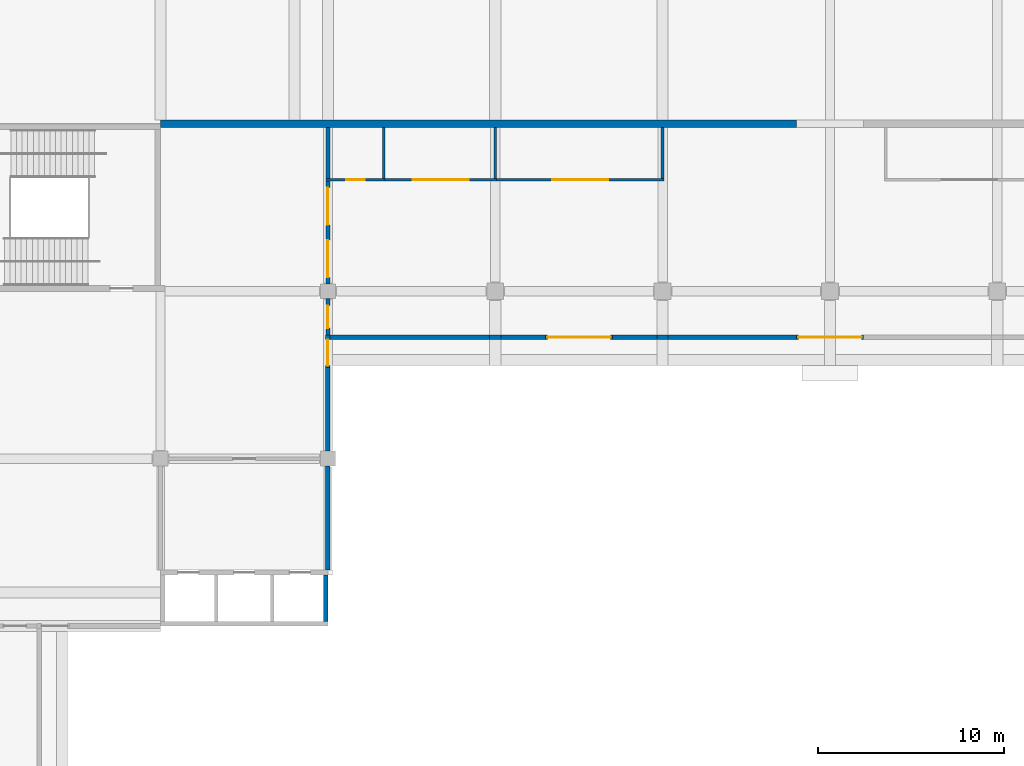
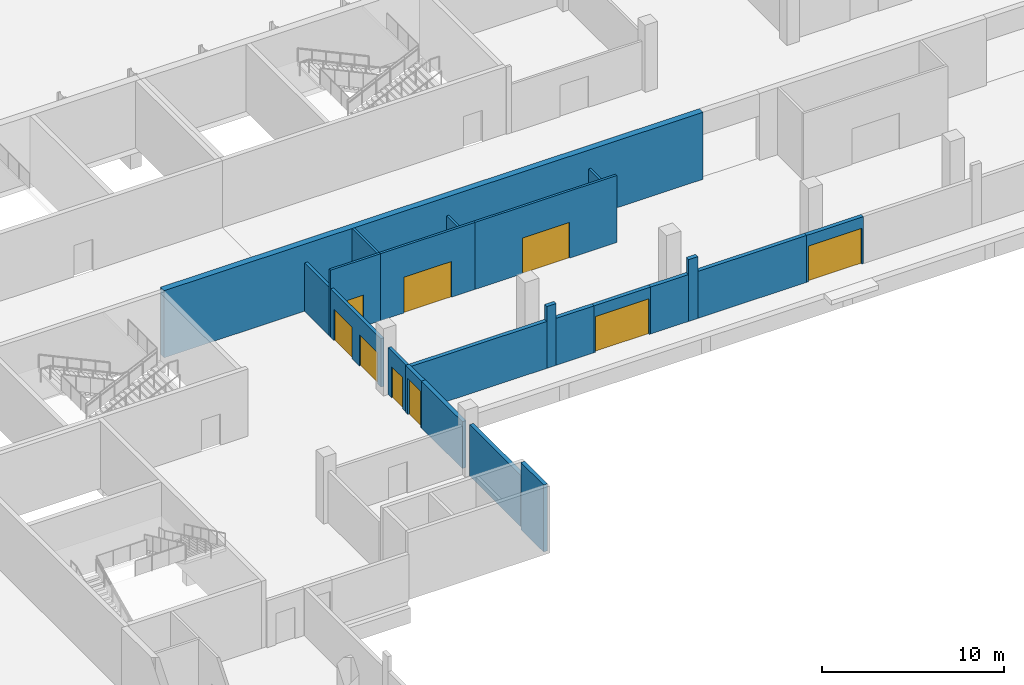
# One storey, part 98 of 168: 22 walls, 9 doors, 9 openings.
"""IFC4 building model written with IfcOpenShell, lengths in metres."""

from ifc_helpers import new_model, si_unit, direction, frame, frame_2d, origin, place, context, subcontext, project, spatial, rectangle, extrude, material, layer, layer_set, type_object, element, fill, save


model = new_model("IFC4")

# Units and contexts
model_context = context("Model", 3, precision=1e-05, world=origin(), true_north=direction((0.0, 1.0)))
body_context = subcontext(model_context, "Body", "Model", "MODEL_VIEW")
ifc_project = project(units=[si_unit("LENGTHUNIT", "METRE"), si_unit("AREAUNIT", "SQUARE_METRE"), si_unit("VOLUMEUNIT", "CUBIC_METRE"), si_unit("PLANEANGLEUNIT", "RADIAN"), si_unit("MASSUNIT", "GRAM", prefix="KILO")], contexts=[model_context])

# Site, building, storey
site_placement = place(None, origin())
site = spatial("IfcSite", under=ifc_project, at=site_placement, CompositionType="ELEMENT")
building_placement = place(site_placement, origin())
building = spatial("IfcBuilding", under=site, at=building_placement, Name="Silverbay Arena", CompositionType="ELEMENT")
storey_placement = place(building_placement, frame((0.0, 0.0, 7.0)))
storey = spatial("IfcBuildingStorey", under=building, at=storey_placement, Name="L01", CompositionType="ELEMENT", Elevation=7.0)

# Wall, opening, door
ifc_material_1 = material(Name="Concrete Grade C45", Category="concrete")
ifc_layer_1 = layer(ifc_material_1, 0.25)
ifc_layer_set_1 = layer_set([ifc_layer_1], Name="Concrete Grade C45")
wall_type_1 = type_object("IfcWallType", Name="Bowl enclosure wall RC 250 EI 120", PredefinedType="SOLIDWALL", material=ifc_layer_set_1)
wall_1_placement = place(storey_placement, frame((99.0, 112.89990234375, 0.0), z_axis=(0.0, 0.0, 1.0), x_axis=(0.0, 1.0, 0.0)))
wall_1 = element("IfcWall", 1, at=wall_1_placement, inside=storey, type_object=wall_type_1, Name="gangway North lower stand end", PredefinedType="SOLIDWALL", context=body_context, shape_type="SweptSolid", body=[
    extrude(rectangle(XDim=1.75, YDim=0.25, at=frame_2d((0.875, 0.0))), origin(), (0.0, 0.0, 1.0), 3.14990234375),
])
opening_1_placement = place(wall_1_placement, frame((0.10009765625, 0.0, 0.0)))
opening_1 = element("IfcOpeningElement", 2, at=opening_1_placement, cuts=wall_1, Name="Opening L01-153", PredefinedType="OPENING", context=body_context, shape_type="SweptSolid", body=[
    extrude(rectangle(XDim=1.39990234375, YDim=2.39990234375, at=frame_2d((0.699951171875, 1.199951171875))), frame((0.0, 0.135009765625, 0.0), z_axis=(0.0, -1.0, 0.0), x_axis=(1.0, 0.0, 0.0)), (0.0, 0.0, 1.0), 0.27001953125),
])
ifc_material_2 = material(Name="Steel", Category="steel")
door_type_1 = type_object("IfcDoorType", Name="Fire door set 1400 x 2400 FD120S gangway", OperationType="DOUBLE_DOOR_SINGLE_SWING", PredefinedType="DOOR", material=ifc_material_2)
door_1_placement = place(opening_1_placement, origin())
door_1 = element("IfcDoor", 3, at=door_1_placement, inside=storey, type_object=door_type_1, Name="Fire door set L01 gangway North lower stand end", OperationType="DOUBLE_DOOR_SINGLE_SWING", OverallHeight=2.39990234375, OverallWidth=1.39990234375, PredefinedType="DOOR", context=body_context, shape_type="SweptSolid", body=[
    extrude(rectangle(XDim=1.39990234375, YDim=2.39990234375, at=frame_2d((0.699951171875, 1.199951171875))), frame((0.0, 0.02490234375, 0.0), z_axis=(0.0, -1.0, 0.0), x_axis=(1.0, 0.0, 0.0)), (0.0, 0.0, 1.0), 0.050048828125),
])
fill(opening_1, door_1)

# Walls
wall_2_placement = place(storey_placement, frame((99.0, 102.0, 0.0), z_axis=(0.0, 0.0, 1.0), x_axis=(0.0, 1.0, 0.0)))
element("IfcWall", 4, at=wall_2_placement, inside=storey, type_object=wall_type_1, Name="Bowl enclosure wall, corner block NW-x", PredefinedType="SOLIDWALL", context=body_context, shape_type="SweptSolid", body=[
    extrude(rectangle(XDim=5.60009765625, YDim=0.25, at=frame_2d((2.800048828125, 0.0))), origin(), (0.0, 0.0, 1.0), 3.449951171875),
])
wall_3_placement = place(storey_placement, frame((99.0, 108.39990234375, 0.0), z_axis=(0.0, 0.0, 1.0), x_axis=(0.0, 1.0, 0.0)))
element("IfcWall", 5, at=wall_3_placement, inside=storey, type_object=wall_type_1, Name="Bowl enclosure wall, corner block NW-x", PredefinedType="SOLIDWALL", context=body_context, shape_type="SweptSolid", body=[
    extrude(rectangle(XDim=4.5, YDim=0.25, at=frame_2d((2.25, 0.0))), origin(), (0.0, 0.0, 1.0), 3.14990234375),
])

# Wall, opening, door
wall_4_placement = place(storey_placement, frame((124.199951171875, 114.52490234375, 0.0), z_axis=(0.0, 0.0, 1.0), x_axis=(1.0, 0.0, 0.0)))
wall_4 = element("IfcWall", 6, at=wall_4_placement, inside=storey, type_object=wall_type_1, Name="portal vomitory North 126", PredefinedType="SOLIDWALL", context=body_context, shape_type="SweptSolid", body=[
    extrude(rectangle(XDim=3.60009765625, YDim=0.25, at=frame_2d((1.800048828125, 0.0))), origin(), (0.0, 0.0, 1.0), 3.14990234375),
])
opening_2_placement = place(wall_4_placement, frame((0.10009765625, 0.0, 0.0)))
opening_2 = element("IfcOpeningElement", 7, at=opening_2_placement, cuts=wall_4, Name="Opening L01-161", PredefinedType="OPENING", context=body_context, shape_type="SweptSolid", body=[
    extrude(rectangle(XDim=3.39990234375, YDim=2.39990234375, at=frame_2d((1.699951171875, 1.199951171875))), frame((0.0, 0.135009765625, 0.0), z_axis=(0.0, -1.0, 0.0), x_axis=(1.0, 0.0, 0.0)), (0.0, 0.0, 1.0), 0.27001953125),
])
ifc_material_3 = material(Name="Steel", Category="steel")
door_type_2 = type_object("IfcDoorType", Name="Fire door set 3400 x 2400 FD120S portal", OperationType="DOUBLE_DOOR_SINGLE_SWING", PredefinedType="DOOR", material=ifc_material_3)
door_2_placement = place(opening_2_placement, origin())
door_2 = element("IfcDoor", 8, at=door_2_placement, inside=storey, type_object=door_type_2, Name="Fire door set L01 portal vomitory North 126", OperationType="DOUBLE_DOOR_SINGLE_SWING", OverallHeight=2.39990234375, OverallWidth=3.39990234375, PredefinedType="DOOR", context=body_context, shape_type="SweptSolid", body=[
    extrude(rectangle(XDim=3.39990234375, YDim=2.39990234375, at=frame_2d((1.699951171875, 1.199951171875))), frame((0.0, 0.02490234375, 0.0), z_axis=(0.0, -1.0, 0.0), x_axis=(1.0, 0.0, 0.0)), (0.0, 0.0, 1.0), 0.050048828125),
])
fill(opening_2, door_2)

wall_5_placement = place(storey_placement, frame((110.699951171875, 114.52490234375, 0.0), z_axis=(0.0, 0.0, 1.0), x_axis=(1.0, 0.0, 0.0)))
wall_5 = element("IfcWall", 9, at=wall_5_placement, inside=storey, type_object=wall_type_1, Name="portal stand North 112.5", PredefinedType="SOLIDWALL", context=body_context, shape_type="SweptSolid", body=[
    extrude(rectangle(XDim=3.60009765625, YDim=0.25, at=frame_2d((1.800048828125, 0.0))), origin(), (0.0, 0.0, 1.0), 3.14990234375),
])
opening_3_placement = place(wall_5_placement, frame((0.10009765625, 0.0, 0.0)))
opening_3 = element("IfcOpeningElement", 10, at=opening_3_placement, cuts=wall_5, Name="Opening L01-166", PredefinedType="OPENING", context=body_context, shape_type="SweptSolid", body=[
    extrude(rectangle(XDim=3.39990234375, YDim=2.39990234375, at=frame_2d((1.699951171875, 1.199951171875))), frame((0.0, 0.135009765625, 0.0), z_axis=(0.0, -1.0, 0.0), x_axis=(1.0, 0.0, 0.0)), (0.0, 0.0, 1.0), 0.27001953125),
])
door_3_placement = place(opening_3_placement, origin())
door_3 = element("IfcDoor", 11, at=door_3_placement, inside=storey, type_object=door_type_2, Name="Fire door set L01 portal stand North 112.5", OperationType="DOUBLE_DOOR_SINGLE_SWING", OverallHeight=2.39990234375, OverallWidth=3.39990234375, PredefinedType="DOOR", context=body_context, shape_type="SweptSolid", body=[
    extrude(rectangle(XDim=3.39990234375, YDim=2.39990234375, at=frame_2d((1.699951171875, 1.199951171875))), frame((0.0, 0.02490234375, 0.0), z_axis=(0.0, -1.0, 0.0), x_axis=(1.0, 0.0, 0.0)), (0.0, 0.0, 1.0), 0.050048828125),
])
fill(opening_3, door_3)

# Walls
wall_6_placement = place(storey_placement, frame((99.125, 114.52490234375, 0.0), z_axis=(0.0, 0.0, 1.0), x_axis=(1.0, 0.0, 0.0)))
element("IfcWall", 12, at=wall_6_placement, inside=storey, type_object=wall_type_1, Name="Bowl enclosure wall, North stand", PredefinedType="SOLIDWALL", context=body_context, shape_type="SweptSolid", body=[
    extrude(rectangle(XDim=8.574951171875, YDim=0.25, at=frame_2d((4.28759765625, 0.0))), origin(), (0.0, 0.0, 1.0), 3.14990234375),
])
wall_7_placement = place(storey_placement, frame((117.300048828125, 114.52490234375, 0.0), z_axis=(0.0, 0.0, 1.0), x_axis=(1.0, 0.0, 0.0)))
element("IfcWall", 13, at=wall_7_placement, inside=storey, type_object=wall_type_1, Name="Bowl enclosure wall, North stand", PredefinedType="SOLIDWALL", context=body_context, shape_type="SweptSolid", body=[
    extrude(rectangle(XDim=6.89990234375, YDim=0.25, at=frame_2d((3.449951171875, 0.0))), origin(), (0.0, 0.0, 1.0), 3.14990234375),
])
wall_8_placement = place(storey_placement, frame((107.699951171875, 114.52490234375, 0.0), z_axis=(0.0, 0.0, 1.0), x_axis=(1.0, 0.0, 0.0)))
element("IfcWall", 14, at=wall_8_placement, inside=storey, type_object=wall_type_1, Name="Bowl enclosure wall, North stand", PredefinedType="SOLIDWALL", context=body_context, shape_type="SweptSolid", body=[
    extrude(rectangle(XDim=0.60009765625, YDim=0.25, at=frame_2d((0.300048828125, 0.0))), origin(), (0.0, 0.0, 1.0), 4.14990234375),
])
for number, where, z_axis, x_axis, name in (
    (15, (108.300048828125, 114.52490234375, 0.0), (0.0, 0.0, 1.0), (1.0, 0.0, 0.0), "Bowl enclosure wall, North stand"),
    (16, (114.300048828125, 114.52490234375, 0.0), (0.0, 0.0, 1.0), (1.0, 0.0, 0.0), "Bowl enclosure wall, North stand"),
):
    element("IfcWall", number, at=place(storey_placement, frame(where, z_axis=z_axis, x_axis=x_axis)), inside=storey, type_object=wall_type_1, Name=name, PredefinedType="SOLIDWALL", context=body_context, shape_type="SweptSolid", body=[
        extrude(rectangle(XDim=2.39990234375, YDim=0.25, at=frame_2d((1.199951171875, 0.0))), origin(), (0.0, 0.0, 1.0), 3.14990234375),
    ])
wall_9_placement = place(storey_placement, frame((116.699951171875, 114.52490234375, 0.0), z_axis=(0.0, 0.0, 1.0), x_axis=(1.0, 0.0, 0.0)))
element("IfcWall", 17, at=wall_9_placement, inside=storey, type_object=wall_type_1, Name="Bowl enclosure wall, North stand", PredefinedType="SOLIDWALL", context=body_context, shape_type="SweptSolid", body=[
    extrude(rectangle(XDim=0.60009765625, YDim=0.25, at=frame_2d((0.300048828125, 0.0))), origin(), (0.0, 0.0, 1.0), 4.14990234375),
])
ifc_material_4 = material(Name="Concrete Grade C45", Category="concrete")
ifc_layer_2 = layer(ifc_material_4, 0.25)
ifc_layer_set_2 = layer_set([ifc_layer_2], Name="Concrete Grade C45")
wall_type_2 = type_object("IfcWallType", Name="Lift shaft wall RC 250 EI 120", PredefinedType="SHEAR", material=ifc_layer_set_2)
wall_10_placement = place(storey_placement, frame((98.875, 99.25, 0.0), z_axis=(0.0, 0.0, 1.0), x_axis=(0.0, 1.0, 0.0)))
element("IfcWall", 18, at=wall_10_placement, inside=storey, type_object=wall_type_2, Name="Lift shaft wall LB-NW L01 end", PredefinedType="SHEAR", context=body_context, shape_type="SweptSolid", body=[
    extrude(rectangle(XDim=2.5, YDim=0.25, at=frame_2d((1.25, 0.0))), origin(), (0.0, 0.0, 1.0), 4.5),
])

# Wall, opening, door
ifc_material_5 = material(Name="Gypsum board partition on steel studs", Category="steel")
ifc_layer_3 = layer(ifc_material_5, 0.14990234375)
ifc_layer_set_3 = layer_set([ifc_layer_3], Name="Gypsum board partition on steel studs")
wall_type_3 = type_object("IfcWallType", Name="Partition 150 EI 60", PredefinedType="PARTITIONING", material=ifc_layer_set_3)
wall_11_placement = place(storey_placement, frame((98.89990234375, 123.0, 0.0), z_axis=(0.0, 0.0, 1.0), x_axis=(1.0, 0.0, 0.0)))
wall_11 = element("IfcWall", 19, at=wall_11_placement, inside=storey, type_object=wall_type_3, Name="Partition wall", PredefinedType="PARTITIONING", context=body_context, shape_type="SweptSolid", body=[
    extrude(rectangle(XDim=3.175048828125, YDim=0.14990234375, at=frame_2d((1.58740234375, 0.0))), origin(), (0.0, 0.0, 1.0), 4.5),
])
opening_4_placement = place(wall_11_placement, frame((1.0869140625, 0.0, 0.0)))
opening_4 = element("IfcOpeningElement", 20, at=opening_4_placement, cuts=wall_11, Name="Opening L01-024", PredefinedType="OPENING", context=body_context, shape_type="SweptSolid", body=[
    extrude(rectangle(XDim=1.0, YDim=2.10009765625, at=frame_2d((0.5, 1.050048828125))), frame((0.0, 0.0849609375, 0.0), z_axis=(0.0, -1.0, 0.0), x_axis=(1.0, 0.0, 0.0)), (0.0, 0.0, 1.0), 0.169921875),
])
ifc_material_6 = material(Name="Steel faced timber", Category="steel")
door_type_3 = type_object("IfcDoorType", Name="Single leaf door 1000 x 2100 FD30S", OperationType="SINGLE_SWING_LEFT", PredefinedType="DOOR", material=ifc_material_6)
door_4_placement = place(opening_4_placement, origin())
door_4 = element("IfcDoor", 21, at=door_4_placement, inside=storey, type_object=door_type_3, Name="Door L01-024", OperationType="SINGLE_SWING_RIGHT", OverallHeight=2.10009765625, OverallWidth=1.0, PredefinedType="DOOR", context=body_context, shape_type="SweptSolid", body=[
    extrude(rectangle(XDim=1.0, YDim=2.10009765625, at=frame_2d((0.5, 1.050048828125))), frame((0.0, 0.02490234375, 0.0), z_axis=(0.0, -1.0, 0.0), x_axis=(1.0, 0.0, 0.0)), (0.0, 0.0, 1.0), 0.050048828125),
])
fill(opening_4, door_4)

wall_12_placement = place(storey_placement, frame((102.074951171875, 123.0, 0.0), z_axis=(0.0, 0.0, 1.0), x_axis=(1.0, 0.0, 0.0)))
wall_12 = element("IfcWall", 22, at=wall_12_placement, inside=storey, type_object=wall_type_3, Name="Partition wall", PredefinedType="PARTITIONING", context=body_context, shape_type="SweptSolid", body=[
    extrude(rectangle(XDim=6.0, YDim=0.14990234375, at=frame_2d((3.0, 0.0))), origin(), (0.0, 0.0, 1.0), 4.5),
])
opening_5_placement = place(wall_12_placement, frame((1.5, 0.0, 0.0)))
opening_5 = element("IfcOpeningElement", 23, at=opening_5_placement, cuts=wall_12, Name="Opening L01-025", PredefinedType="OPENING", context=body_context, shape_type="SweptSolid", body=[
    extrude(rectangle(XDim=3.0, YDim=2.39990234375, at=frame_2d((1.5, 1.199951171875))), frame((0.0, 0.0849609375, 0.0), z_axis=(0.0, -1.0, 0.0), x_axis=(1.0, 0.0, 0.0)), (0.0, 0.0, 1.0), 0.169921875),
])
ifc_material_7 = material(Name="Steel", Category="steel")
door_type_4 = type_object("IfcDoorType", Name="Roller shutter 3000 x 2400 FD30S", OperationType="ROLLINGUP", PredefinedType="DOOR", material=ifc_material_7)
door_5_placement = place(opening_5_placement, origin())
door_5 = element("IfcDoor", 24, at=door_5_placement, inside=storey, type_object=door_type_4, Name="Door L01-025", OperationType="ROLLINGUP", OverallHeight=2.39990234375, OverallWidth=3.0, PredefinedType="DOOR", context=body_context, shape_type="SweptSolid", body=[
    extrude(rectangle(XDim=3.0, YDim=2.39990234375, at=frame_2d((1.5, 1.199951171875))), frame((0.0, 0.02490234375, 0.0), z_axis=(0.0, -1.0, 0.0), x_axis=(1.0, 0.0, 0.0)), (0.0, 0.0, 1.0), 0.050048828125),
])
fill(opening_5, door_5)

wall_13_placement = place(storey_placement, frame((108.074951171875, 123.0, 0.0), z_axis=(0.0, 0.0, 1.0), x_axis=(1.0, 0.0, 0.0)))
wall_13 = element("IfcWall", 25, at=wall_13_placement, inside=storey, type_object=wall_type_3, Name="Partition wall", PredefinedType="PARTITIONING", context=body_context, shape_type="SweptSolid", body=[
    extrude(rectangle(XDim=9.0, YDim=0.14990234375, at=frame_2d((4.5, 0.0))), origin(), (0.0, 0.0, 1.0), 4.5),
])
opening_6_placement = place(wall_13_placement, frame((3.0, 0.0, 0.0)))
opening_6 = element("IfcOpeningElement", 26, at=opening_6_placement, cuts=wall_13, Name="Opening L01-026", PredefinedType="OPENING", context=body_context, shape_type="SweptSolid", body=[
    extrude(rectangle(XDim=3.0, YDim=2.39990234375, at=frame_2d((1.5, 1.199951171875))), frame((0.0, 0.0849609375, 0.0), z_axis=(0.0, -1.0, 0.0), x_axis=(1.0, 0.0, 0.0)), (0.0, 0.0, 1.0), 0.169921875),
])
door_6_placement = place(opening_6_placement, origin())
door_6 = element("IfcDoor", 27, at=door_6_placement, inside=storey, type_object=door_type_4, Name="Door L01-026", OperationType="ROLLINGUP", OverallHeight=2.39990234375, OverallWidth=3.0, PredefinedType="DOOR", context=body_context, shape_type="SweptSolid", body=[
    extrude(rectangle(XDim=3.0, YDim=2.39990234375, at=frame_2d((1.5, 1.199951171875))), frame((0.0, 0.02490234375, 0.0), z_axis=(0.0, -1.0, 0.0), x_axis=(1.0, 0.0, 0.0)), (0.0, 0.0, 1.0), 0.050048828125),
])
fill(opening_6, door_6)

# Walls
wall_14_placement = place(storey_placement, frame((102.0, 123.074951171875, 0.0), z_axis=(0.0, 0.0, 1.0), x_axis=(0.0, 1.0, 0.0)))
element("IfcWall", 28, at=wall_14_placement, inside=storey, type_object=wall_type_3, Name="Partition wall", PredefinedType="PARTITIONING", context=body_context, shape_type="SweptSolid", body=[
    extrude(rectangle(XDim=2.72509765625, YDim=0.14990234375, at=frame_2d((1.362548828125, 0.0))), origin(), (0.0, 0.0, 1.0), 4.5),
])
for number, where, z_axis, x_axis, name in (
    (29, (108.0, 123.074951171875, 0.0), (0.0, 0.0, 1.0), (0.0, 1.0, 0.0), "Partition wall"),
    (30, (117.0, 123.074951171875, 0.0), (0.0, 0.0, 1.0), (0.0, 1.0, 0.0), "Partition wall"),
):
    element("IfcWall", number, at=place(storey_placement, frame(where, z_axis=z_axis, x_axis=x_axis)), inside=storey, type_object=wall_type_3, Name=name, PredefinedType="PARTITIONING", context=body_context, shape_type="SweptSolid", body=[
        extrude(rectangle(XDim=2.72509765625, YDim=0.14990234375, at=frame_2d((1.362548828125, 0.0))), origin(), (0.0, 0.0, 1.0), 3.25),
    ])

# Wall, opening, door
ifc_material_8 = material(Name="Masonry blockwork partition", Category="masonry")
ifc_layer_4 = layer(ifc_material_8, 0.199951171875)
ifc_layer_set_4 = layer_set([ifc_layer_4], Name="Masonry blockwork partition")
wall_type_4 = type_object("IfcWallType", Name="Partition 200 EI 120", PredefinedType="PARTITIONING", material=ifc_layer_set_4)
wall_15_placement = place(storey_placement, frame((99.0, 114.64990234375, 0.0), z_axis=(0.0, 0.0, 1.0), x_axis=(0.0, 1.0, 0.0)))
wall_15 = element("IfcWall", 31, at=wall_15_placement, inside=storey, type_object=wall_type_4, Name="Partition wall", PredefinedType="PARTITIONING", context=body_context, shape_type="SweptSolid", body=[
    extrude(rectangle(XDim=1.9501953125, YDim=0.199951171875, at=frame_2d((0.97509765625, 0.0))), origin(), (0.0, 0.0, 1.0), 3.14990234375),
])
opening_7_placement = place(wall_15_placement, frame((0.375, 0.0, 0.0)))
opening_7 = element("IfcOpeningElement", 32, at=opening_7_placement, cuts=wall_15, Name="Opening L01-071", PredefinedType="OPENING", context=body_context, shape_type="SweptSolid", body=[
    extrude(rectangle(XDim=1.199951171875, YDim=2.10009765625, at=frame_2d((0.60009765625, 1.050048828125))), frame((0.0, 0.10986328125, 0.0), z_axis=(0.0, -1.0, 0.0), x_axis=(1.0, 0.0, 0.0)), (0.0, 0.0, 1.0), 0.219970703125),
])
ifc_material_9 = material(Name="Steel faced timber", Category="steel")
door_type_5 = type_object("IfcDoorType", Name="Single leaf door 1200 x 2100 FD60", OperationType="SINGLE_SWING_LEFT", PredefinedType="DOOR", material=ifc_material_9)
door_7_placement = place(opening_7_placement, origin())
door_7 = element("IfcDoor", 33, at=door_7_placement, inside=storey, type_object=door_type_5, Name="Door L01-071", OperationType="SINGLE_SWING_LEFT", OverallHeight=2.10009765625, OverallWidth=1.199951171875, PredefinedType="DOOR", context=body_context, shape_type="SweptSolid", body=[
    extrude(rectangle(XDim=1.199951171875, YDim=2.10009765625, at=frame_2d((0.60009765625, 1.050048828125))), frame((0.0, 0.02490234375, 0.0), z_axis=(0.0, -1.0, 0.0), x_axis=(1.0, 0.0, 0.0)), (0.0, 0.0, 1.0), 0.050048828125),
])
fill(opening_7, door_7)

# Wall, openings, doors
wall_16_placement = place(storey_placement, frame((99.0, 117.39990234375, 0.0), z_axis=(0.0, 0.0, 1.0), x_axis=(0.0, 1.0, 0.0)))
wall_16 = element("IfcWall", 34, at=wall_16_placement, inside=storey, type_object=wall_type_4, Name="Partition wall", PredefinedType="PARTITIONING", context=body_context, shape_type="SweptSolid", body=[
    extrude(rectangle(XDim=5.525146484375, YDim=0.199951171875, at=frame_2d((2.7626953125, 0.0))), origin(), (0.0, 0.0, 1.0), 3.25),
])
opening_8_placement = place(wall_16_placement, frame((0.35009765625, 0.0, 0.0)))
opening_8 = element("IfcOpeningElement", 35, at=opening_8_placement, cuts=wall_16, Name="Opening L01-072", PredefinedType="OPENING", context=body_context, shape_type="SweptSolid", body=[
    extrude(rectangle(XDim=2.0, YDim=2.10009765625, at=frame_2d((1.0, 1.050048828125))), frame((0.0, 0.10986328125, 0.0), z_axis=(0.0, -1.0, 0.0), x_axis=(1.0, 0.0, 0.0)), (0.0, 0.0, 1.0), 0.219970703125),
])
opening_9_placement = place(wall_16_placement, frame((3.175048828125, 0.0, 0.0)))
opening_9 = element("IfcOpeningElement", 36, at=opening_9_placement, cuts=wall_16, Name="Opening L01-073", PredefinedType="OPENING", context=body_context, shape_type="SweptSolid", body=[
    extrude(rectangle(XDim=2.0, YDim=2.10009765625, at=frame_2d((1.0, 1.050048828125))), frame((0.0, 0.10986328125, 0.0), z_axis=(0.0, -1.0, 0.0), x_axis=(1.0, 0.0, 0.0)), (0.0, 0.0, 1.0), 0.219970703125),
])
ifc_material_10 = material(Name="Steel faced timber", Category="steel")
door_type_6 = type_object("IfcDoorType", Name="Double leaf door 2000 x 2100 FD60", OperationType="DOUBLE_DOOR_DOUBLE_SWING", PredefinedType="DOOR", material=ifc_material_10)
door_8_placement = place(opening_8_placement, origin())
door_8 = element("IfcDoor", 37, at=door_8_placement, inside=storey, type_object=door_type_6, Name="Door L01-072", OperationType="DOUBLE_DOOR_DOUBLE_SWING", OverallHeight=2.10009765625, OverallWidth=2.0, PredefinedType="DOOR", context=body_context, shape_type="SweptSolid", body=[
    extrude(rectangle(XDim=2.0, YDim=2.10009765625, at=frame_2d((1.0, 1.050048828125))), frame((0.0, 0.02490234375, 0.0), z_axis=(0.0, -1.0, 0.0), x_axis=(1.0, 0.0, 0.0)), (0.0, 0.0, 1.0), 0.050048828125),
])
fill(opening_8, door_8)
door_9_placement = place(opening_9_placement, origin())
door_9 = element("IfcDoor", 38, at=door_9_placement, inside=storey, type_object=door_type_6, Name="Door L01-073", OperationType="DOUBLE_DOOR_DOUBLE_SWING", OverallHeight=2.10009765625, OverallWidth=2.0, PredefinedType="DOOR", context=body_context, shape_type="SweptSolid", body=[
    extrude(rectangle(XDim=2.0, YDim=2.10009765625, at=frame_2d((1.0, 1.050048828125))), frame((0.0, 0.02490234375, 0.0), z_axis=(0.0, -1.0, 0.0), x_axis=(1.0, 0.0, 0.0)), (0.0, 0.0, 1.0), 0.050048828125),
])
fill(opening_9, door_9)

# Walls
ifc_material_11 = material(Name="Gypsum board partition on steel studs", Category="steel")
ifc_layer_5 = layer(ifc_material_11, 0.199951171875)
ifc_layer_set_5 = layer_set([ifc_layer_5], Name="Gypsum board partition on steel studs")
wall_type_5 = type_object("IfcWallType", Name="Partition 200 EI 60", PredefinedType="PARTITIONING", material=ifc_layer_set_5)
wall_17_placement = place(storey_placement, frame((99.0, 123.074951171875, 0.0), z_axis=(0.0, 0.0, 1.0), x_axis=(0.0, 1.0, 0.0)))
element("IfcWall", 39, at=wall_17_placement, inside=storey, type_object=wall_type_5, Name="Partition wall", PredefinedType="PARTITIONING", context=body_context, shape_type="SweptSolid", body=[
    extrude(rectangle(XDim=2.72509765625, YDim=0.199951171875, at=frame_2d((1.362548828125, 0.0))), origin(), (0.0, 0.0, 1.0), 3.25),
])
ifc_material_12 = material(Name="Concrete Grade C45", Category="concrete")
ifc_layer_6 = layer(ifc_material_12, 0.39990234375)
ifc_layer_set_6 = layer_set([ifc_layer_6], Name="Concrete Grade C45")
wall_type_6 = type_object("IfcWallType", Name="RC back wall 400 EI 120", PredefinedType="SOLIDWALL", material=ifc_layer_set_6)
wall_18_placement = place(storey_placement, frame((124.199951171875, 126.0, 0.0), z_axis=(0.0, 0.0, 1.0), x_axis=(-1.0, 0.0, 0.0)))
element("IfcWall", 40, at=wall_18_placement, inside=storey, type_object=wall_type_6, Name="Bowl back wall L01 08", PredefinedType="SOLIDWALL", context=body_context, shape_type="SweptSolid", body=[
    extrude(rectangle(XDim=34.199951171875, YDim=0.39990234375, at=frame_2d((17.10009765625, 0.0))), origin(), (0.0, 0.0, 1.0), 4.5),
])

save(model, "model.ifc")
